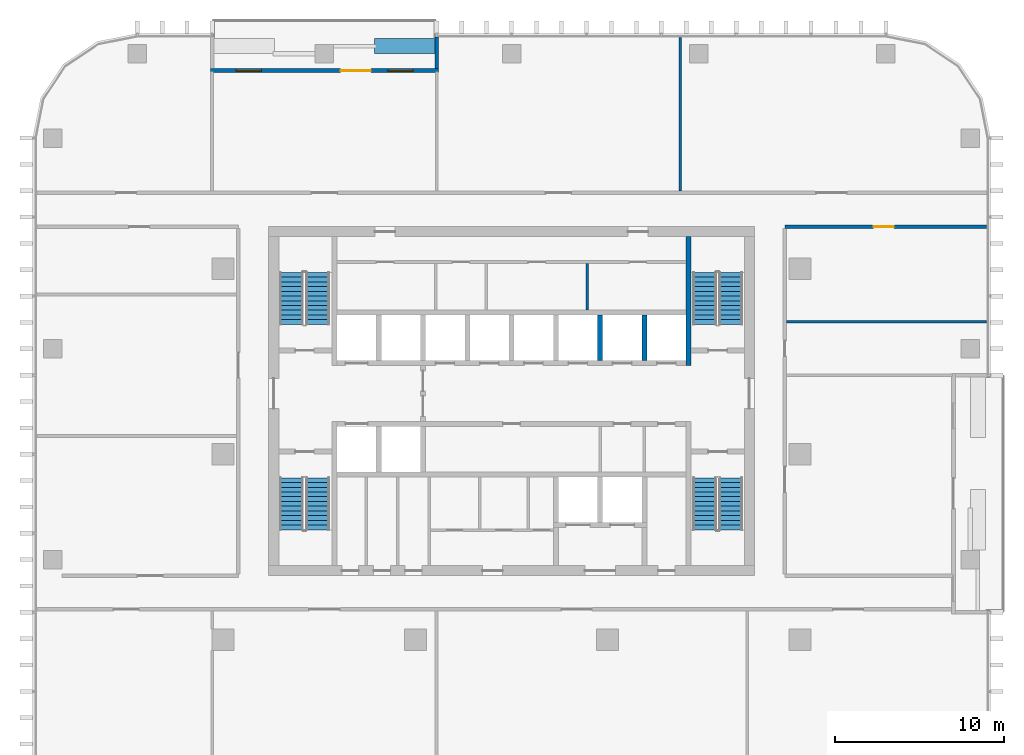
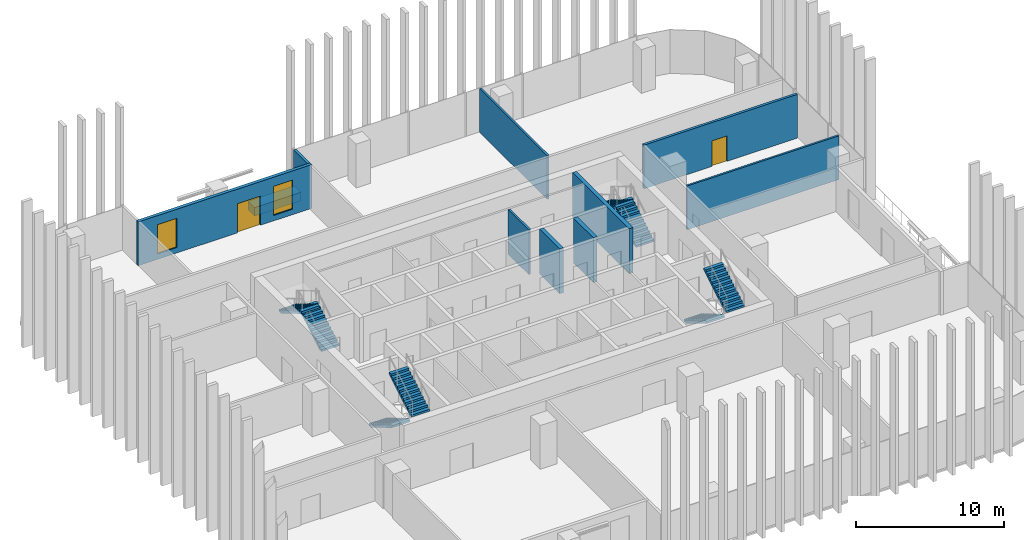
# One storey, part 10 of 15: 10 walls, 8 stair flights, 2 doors, 2 windows, 4 openings, 4 elements without a shape of their own.
"""IFC4 building model written with IfcOpenShell, lengths in metres."""

from ifc_helpers import new_model, si_unit, direction, frame, frame_2d, origin, place, context, subcontext, project, spatial, polyline, rectangle, outline, extrude, material, layer, layer_set, type_object, element, fill, aggregate, save


model = new_model("IFC4")

# Units and contexts
model_context = context("Model", 3, precision=1e-05, world=origin(), true_north=direction((0.0, 1.0)))
body_context = subcontext(model_context, "Body", "Model", "MODEL_VIEW")
ifc_project = project(units=[si_unit("LENGTHUNIT", "METRE"), si_unit("AREAUNIT", "SQUARE_METRE"), si_unit("VOLUMEUNIT", "CUBIC_METRE"), si_unit("PLANEANGLEUNIT", "RADIAN"), si_unit("MASSUNIT", "GRAM", prefix="KILO")], contexts=[model_context])

# Site, building, storey
site_placement = place(None, origin())
site = spatial("IfcSite", under=ifc_project, at=site_placement, CompositionType="ELEMENT")
building_placement = place(site_placement, origin())
building = spatial("IfcBuilding", under=site, at=building_placement, Name="Mopane Tessera Tower", CompositionType="ELEMENT")
storey_placement = place(building_placement, frame((0.0, 0.0, 223.0)))
storey = spatial("IfcBuildingStorey", under=building, at=storey_placement, Name="L47", CompositionType="ELEMENT", Elevation=223.0)

# Walls
ifc_material_1 = material(Name="Fire-rated gypsum board partition")
ifc_layer_1 = layer(ifc_material_1, 0.14990234375)
ifc_layer_set_1 = layer_set([ifc_layer_1], Name="Fire-rated gypsum board partition")
wall_type_1 = type_object("IfcWallType", Name="Core room partition 150 mm", PredefinedType="PARTITIONING", material=ifc_layer_set_1)
wall_1_placement = place(storey_placement, frame((4.5, 8.550048828125, 0.0), z_axis=(0.0, 0.0, 1.0), x_axis=(0.0, 1.0, 0.0)))
element("IfcWall", 1, at=wall_1_placement, inside=storey, type_object=wall_type_1, Name="L47 Room partition", PredefinedType="PARTITIONING", context=body_context, shape_type="SweptSolid", body=[
    extrude(rectangle(XDim=2.77490234375, YDim=0.14990234375, at=frame_2d((1.387451171875, 0.0))), origin(), (0.0, 0.0, 1.0), 3.699951171875),
])
ifc_material_2 = material(Name="Concrete C60/75", Category="concrete")
ifc_layer_2 = layer(ifc_material_2, 0.300048828125)
ifc_layer_set_2 = layer_set([ifc_layer_2], Name="Concrete C60/75")
wall_type_2 = type_object("IfcWallType", Name="Core spine wall 300 mm", PredefinedType="SHEAR", material=ifc_layer_set_2)
wall_2_placement = place(storey_placement, frame((10.5, 5.25, 0.0), z_axis=(0.0, 0.0, 1.0), x_axis=(0.0, 1.0, 0.0)))
element("IfcWall", 2, at=wall_2_placement, inside=storey, type_object=wall_type_2, Name="L47 Core spine wall", PredefinedType="SHEAR", context=body_context, shape_type="SweptSolid", body=[
    extrude(rectangle(XDim=7.64990234375, YDim=0.300048828125, at=frame_2d((3.824951171875, 0.0))), origin(), (0.0, 0.0, 1.0), 3.699951171875),
])

# Wall, opening, door
ifc_material_3 = material(Name="Gypsum board on steel studs, two layers each face, mineral wool infill", Category="steel")
ifc_layer_3 = layer(ifc_material_3, 0.199951171875)
ifc_layer_set_3 = layer_set([ifc_layer_3], Name="Gypsum board on steel studs, two layers each face, mineral wool infill")
wall_type_3 = type_object("IfcWallType", Name="Gypsum board corridor wall 200, rated EI 60", PredefinedType="PARTITIONING", material=ifc_layer_set_3)
wall_3_placement = place(storey_placement, frame((16.199951171875, 13.5, 0.0), z_axis=(0.0, 0.0, 1.0), x_axis=(1.0, 0.0, 0.0)))
wall_3 = element("IfcWall", 3, at=wall_3_placement, inside=storey, type_object=wall_type_3, Name="Partition L47:008", PredefinedType="PARTITIONING", context=body_context, shape_type="SweptSolid", body=[
    extrude(rectangle(XDim=11.949951171875, YDim=0.199951171875, at=frame_2d((5.97509765625, 0.0))), origin(), (0.0, 0.0, 1.0), 3.60009765625),
])
opening_1_placement = place(wall_3_placement, frame((5.27490234375, 0.0, 0.0)))
opening_1 = element("IfcOpeningElement", 4, at=opening_1_placement, cuts=wall_3, Name="Opening L47-07", PredefinedType="OPENING", context=body_context, shape_type="SweptSolid", body=[
    extrude(rectangle(XDim=1.199951171875, YDim=2.10009765625, at=frame_2d((0.60009765625, 1.050048828125))), frame((0.0, 0.112060546875, 0.0), z_axis=(0.0, -1.0, 0.0), x_axis=(1.0, 0.0, 0.0)), (0.0, 0.0, 1.0), 0.223876953125),
])
ifc_material_4 = material(Name="Timber veneered steel-framed fire door", Category="steel")
door_type_1 = type_object("IfcDoorType", Name="Fire door FD60 1200 x 2100", OperationType="SINGLE_SWING_LEFT", PredefinedType="DOOR", material=ifc_material_4)
door_1_placement = place(opening_1_placement, origin())
door_1 = element("IfcDoor", 5, at=door_1_placement, inside=storey, type_object=door_type_1, Name="Door L47-07", ObjectType="D15A", OperationType="SINGLE_SWING_LEFT", OverallHeight=2.10009765625, OverallWidth=1.199951171875, PredefinedType="DOOR", context=body_context, shape_type="SweptSolid", body=[
    extrude(rectangle(XDim=1.199951171875, YDim=2.10009765625, at=frame_2d((0.60009765625, 1.050048828125))), frame((0.0, 0.02490234375, 0.0), z_axis=(0.0, -1.0, 0.0), x_axis=(1.0, 0.0, 0.0)), (0.0, 0.0, 1.0), 0.050048828125),
])
fill(opening_1, door_1)

# Walls
ifc_material_5 = material(Name="Gypsum board on steel studs, mineral wool infill", Category="steel")
ifc_layer_4 = layer(ifc_material_5, 0.14990234375)
ifc_layer_set_4 = layer_set([ifc_layer_4], Name="Gypsum board on steel studs, mineral wool infill")
wall_type_4 = type_object("IfcWallType", Name="Gypsum board partition 150, rated EI 60", PredefinedType="PARTITIONING", material=ifc_layer_set_4)
wall_4_placement = place(storey_placement, frame((16.300048828125, 7.85498046875, 0.0), z_axis=(0.0, 0.0, 1.0), x_axis=(1.0, 0.0, 0.0)))
element("IfcWall", 6, at=wall_4_placement, inside=storey, type_object=wall_type_4, Name="Partition L47:005", PredefinedType="PARTITIONING", context=body_context, shape_type="SweptSolid", body=[
    extrude(rectangle(XDim=11.849853515625, YDim=0.14990234375, at=frame_2d((5.9248046875, 0.0))), origin(), (0.0, 0.0, 1.0), 3.60009765625),
])
wall_5_placement = place(storey_placement, frame((10.0, 15.60009765625, 0.0), z_axis=(0.0, 0.0, 1.0), x_axis=(0.0, 1.0, 0.0)))
element("IfcWall", 7, at=wall_5_placement, inside=storey, type_object=wall_type_4, Name="Partition L47:016", PredefinedType="PARTITIONING", context=body_context, shape_type="SweptSolid", body=[
    extrude(rectangle(XDim=9.099853515625, YDim=0.14990234375, at=frame_2d((4.5498046875, 0.0))), origin(), (0.0, 0.0, 1.0), 3.60009765625),
])
ifc_material_6 = material(Name="Concrete C50/60", Category="concrete")
ifc_layer_5 = layer(ifc_material_6, 0.300048828125)
ifc_layer_set_5 = layer_set([ifc_layer_5], Name="Concrete C50/60")
wall_type_5 = type_object("IfcWallType", Name="Lift and stair shaft wall 300 mm", PredefinedType="SOLIDWALL", material=ifc_layer_set_5)
for number, where, z_axis, x_axis, name in (
    (8, (5.25, 5.550048828125, 0.0), (0.0, 0.0, 1.0), (0.0, 1.0, 0.0), "L47 Lift shaft wall"),
    (9, (7.875, 5.550048828125, 0.0), (0.0, 0.0, 1.0), (0.0, 1.0, 0.0), "L47 Lift shaft wall"),
):
    element("IfcWall", number, at=place(storey_placement, frame(where, z_axis=z_axis, x_axis=x_axis)), inside=storey, type_object=wall_type_5, Name=name, PredefinedType="SOLIDWALL", context=body_context, shape_type="SweptSolid", body=[
        extrude(rectangle(XDim=2.699951171875, YDim=0.300048828125, at=frame_2d((1.35009765625, 0.0))), origin(), (0.0, 0.0, 1.0), 3.699951171875),
    ])
ifc_material_7 = material(Name="Reinforced concrete C32/40 with waterproofing", Category="concrete")
ifc_layer_6 = layer(ifc_material_7, 0.89990234375)
ifc_layer_set_6 = layer_set([ifc_layer_6], Name="Reinforced concrete C32/40 with waterproofing")
wall_type_6 = type_object("IfcWallType", Name="Planter trough 3600 x 900", PredefinedType="STANDARD", material=ifc_layer_set_6)
wall_6_placement = place(storey_placement, frame((-4.5400390625, 24.199951171875, 0.0), z_axis=(0.0, 0.0, 1.0), x_axis=(-1.0, 0.0, 0.0)))
element("IfcWall", 10, at=wall_6_placement, inside=storey, type_object=wall_type_6, Name="e:nw:L47:N3:pl0", PredefinedType="STANDARD", context=body_context, shape_type="SweptSolid", body=[
    extrude(rectangle(XDim=3.599853515625, YDim=0.89990234375, at=frame_2d((1.7998046875, 0.0))), origin(), (0.0, 0.0, 1.0), 0.699951171875),
])
ifc_material_8 = material(Name="Blockwork with glazed tile facing", Category="masonry")
ifc_layer_7 = layer(ifc_material_8, 0.199951171875)
ifc_layer_set_7 = layer_set([ifc_layer_7], Name="Blockwork with glazed tile facing")
wall_type_7 = type_object("IfcWallType", Name="Terrace cheek wall 200", PredefinedType="STANDARD", material=ifc_layer_set_7)
wall_7_placement = place(storey_placement, frame((-4.43994140625, 24.75, 0.0), z_axis=(0.0, 0.0, 1.0), x_axis=(0.0, -1.0, 0.0)))
element("IfcWall", 11, at=wall_7_placement, inside=storey, type_object=wall_type_7, Name="e:nw:L47:N3:cheeka", PredefinedType="STANDARD", context=body_context, shape_type="SweptSolid", body=[
    extrude(rectangle(XDim=1.875, YDim=0.199951171875, at=frame_2d((0.9375, 0.0))), origin(), (0.0, 0.0, 1.0), 3.60009765625),
])

# Wall, openings, windows, door
ifc_material_9 = material(Name="Blockwork with ultramarine glazed tile facing", Category="masonry")
ifc_layer_8 = layer(ifc_material_9, 0.25)
ifc_layer_set_8 = layer_set([ifc_layer_8], Name="Blockwork with ultramarine glazed tile facing")
wall_type_8 = type_object("IfcWallType", Name="Tile-clad external wall 250, ultramarine", PredefinedType="STANDARD", material=ifc_layer_set_8)
wall_8_placement = place(storey_placement, frame((-4.340087890625, 22.75, 0.0), z_axis=(0.0, 0.0, 1.0), x_axis=(-1.0, 0.0, 0.0)))
wall_8 = element("IfcWall", 12, at=wall_8_placement, inside=storey, type_object=wall_type_8, Name="e:nw:L47:N3:back", PredefinedType="STANDARD", context=body_context, shape_type="SweptSolid", body=[
    extrude(rectangle(XDim=13.52001953125, YDim=0.25, at=frame_2d((6.760009765625, 0.0))), origin(), (0.0, 0.0, 1.0), 3.60009765625),
])
opening_2_placement = place(wall_8_placement, frame((1.5, 0.0, 0.449951171875)))
opening_2 = element("IfcOpeningElement", 13, at=opening_2_placement, cuts=wall_8, Name="Opening NW473A", PredefinedType="OPENING", context=body_context, shape_type="SweptSolid", body=[
    extrude(rectangle(XDim=1.5, YDim=2.39990234375, at=frame_2d((0.75, 1.199951171875))), frame((0.0, 0.136962890625, 0.0), z_axis=(0.0, -1.0, 0.0), x_axis=(1.0, 0.0, 0.0)), (0.0, 0.0, 1.0), 0.27392578125),
])
opening_3_placement = place(wall_8_placement, frame((4.0, 0.0, 0.0)))
opening_3 = element("IfcOpeningElement", 14, at=opening_3_placement, cuts=wall_8, Name="Opening ND473", PredefinedType="OPENING", context=body_context, shape_type="SweptSolid", body=[
    extrude(rectangle(XDim=1.800048828125, YDim=2.39990234375, at=frame_2d((0.89990234375, 1.199951171875))), frame((0.0, 0.136962890625, 0.0), z_axis=(0.0, -1.0, 0.0), x_axis=(1.0, 0.0, 0.0)), (0.0, 0.0, 1.0), 0.27392578125),
])
opening_4_placement = place(wall_8_placement, frame((10.5, 0.0, 0.449951171875)))
opening_4 = element("IfcOpeningElement", 15, at=opening_4_placement, cuts=wall_8, Name="Opening NW473B", PredefinedType="OPENING", context=body_context, shape_type="SweptSolid", body=[
    extrude(rectangle(XDim=1.5, YDim=2.39990234375, at=frame_2d((0.75, 1.199951171875))), frame((0.0, 0.136962890625, 0.0), z_axis=(0.0, -1.0, 0.0), x_axis=(1.0, 0.0, 0.0)), (0.0, 0.0, 1.0), 0.27392578125),
])
ifc_material_10 = material(Name="Clear laminated glass", Category="glass")
window_type = type_object("IfcWindowType", Name="Fixed window 1500 x 2400", PartitioningType="SINGLE_PANEL", PredefinedType="WINDOW", material=ifc_material_10)
window_1_placement = place(opening_2_placement, origin())
window_1 = element("IfcWindow", 16, at=window_1_placement, inside=storey, type_object=window_type, Name="e:nw:L47:N3:win0", OverallHeight=2.39990234375, OverallWidth=1.5, PartitioningType="SINGLE_PANEL", PredefinedType="WINDOW", context=body_context, shape_type="SweptSolid", body=[
    extrude(rectangle(XDim=1.5, YDim=2.39990234375, at=frame_2d((0.75, 1.199951171875))), frame((0.0, 0.030029296875, 0.0), z_axis=(0.0, -1.0, 0.0), x_axis=(1.0, 0.0, 0.0)), (0.0, 0.0, 1.0), 0.06005859375),
])
fill(opening_2, window_1)
window_2_placement = place(opening_4_placement, origin())
window_2 = element("IfcWindow", 17, at=window_2_placement, inside=storey, type_object=window_type, Name="e:nw:L47:N3:win2", OverallHeight=2.39990234375, OverallWidth=1.5, PartitioningType="SINGLE_PANEL", PredefinedType="WINDOW", context=body_context, shape_type="SweptSolid", body=[
    extrude(rectangle(XDim=1.5, YDim=2.39990234375, at=frame_2d((0.75, 1.199951171875))), frame((0.0, 0.030029296875, 0.0), z_axis=(0.0, -1.0, 0.0), x_axis=(1.0, 0.0, 0.0)), (0.0, 0.0, 1.0), 0.06005859375),
])
fill(opening_4, window_2)
ifc_material_11 = material(Name="Aluminium and clear glass", Category="aluminium")
door_type_2 = type_object("IfcDoorType", Name="Terrace double door 1800 x 2400", OperationType="DOUBLE_DOOR_SINGLE_SWING", PredefinedType="DOOR", material=ifc_material_11)
door_2_placement = place(opening_3_placement, origin())
door_2 = element("IfcDoor", 18, at=door_2_placement, inside=storey, type_object=door_type_2, Name="e:nw:L47:N3:door", ObjectType="D1", OperationType="DOUBLE_DOOR_SINGLE_SWING", OverallHeight=2.39990234375, OverallWidth=1.800048828125, PredefinedType="DOOR", context=body_context, shape_type="SweptSolid", body=[
    extrude(rectangle(XDim=1.800048828125, YDim=2.39990234375, at=frame_2d((0.89990234375, 1.199951171875))), frame((0.0, 0.02490234375, 0.0), z_axis=(0.0, -1.0, 0.0), x_axis=(1.0, 0.0, 0.0)), (0.0, 0.0, 1.0), 0.050048828125),
])
fill(opening_3, door_2)

# Stair, stair flights
ifc_material_12 = material(Name="Concrete C50/60", Category="concrete")
stair_type = type_object("IfcStairType", Name="Escape stair 1400 mm, riser 167 mm", PredefinedType="HALF_TURN_STAIR", material=ifc_material_12)
stair_1_placement = place(storey_placement, origin())
stair_1 = element("IfcStair", 19, at=stair_1_placement, inside=storey, type_object=stair_type, Name="L47 Escape stair south-west", PredefinedType="HALF_TURN_STAIR")
ifc_material_13 = material(Name="Concrete C50/60", Category="concrete")
stair_flight_type = type_object("IfcStairFlightType", Name="Escape stair flight 1400 mm", PredefinedType="STRAIGHT", material=ifc_material_13)
stair_flight_1_placement = place(storey_placement, frame((-13.050048828125, -1.39990234375, 0.0), z_axis=(0.0, 0.0, 1.0), x_axis=(0.0, -1.0, 0.0)))
stair_flight_1 = element("IfcStairFlight", 20, at=stair_flight_1_placement, type_object=stair_flight_type, Name="ST1 flight 1", NumberOfRisers=12, NumberOfTreads=11, PredefinedType="STRAIGHT", RiserHeight=0.166666667, TreadLength=0.28, context=body_context, shape_type="SweptSolid", body=[
    extrude(outline(polyline([(0.0, 0.0), (0.0, 0.166748046875), (0.280029296875, 0.166748046875), (0.280029296875, 0.333251953125), (0.56005859375, 0.333251953125), (0.56005859375, 0.5), (0.840087890625, 0.5), (0.840087890625, 0.666748046875), (1.1201171875, 0.666748046875), (1.1201171875, 0.833251953125), (1.39990234375, 0.833251953125), (1.39990234375, 1.0), (1.679931640625, 1.0), (1.679931640625, 1.166748046875), (1.9599609375, 1.166748046875), (1.9599609375, 1.333251953125), (2.239990234375, 1.333251953125), (2.239990234375, 1.5), (2.52001953125, 1.5), (2.52001953125, 1.666748046875), (2.800048828125, 1.666748046875), (2.800048828125, 1.833251953125), (3.080078125, 1.833251953125), (3.080078125, 2.0), (3.080078125, 1.658935546875), (0.29296875, 0.0), (0.0, 0.0)])), frame((0.0, 0.699951171875, 0.0), z_axis=(0.0, -1.0, 0.0), x_axis=(1.0, 0.0, 0.0)), (0.0, 0.0, 1.0), 1.39990234375),
])
stair_flight_2_placement = place(storey_placement, frame((-11.5, -4.47998046875, 2.0), z_axis=(0.0, 0.0, 1.0), x_axis=(0.0, 1.0, 0.0)))
stair_flight_2 = element("IfcStairFlight", 21, at=stair_flight_2_placement, type_object=stair_flight_type, Name="ST1 flight 2", NumberOfRisers=12, NumberOfTreads=11, PredefinedType="STRAIGHT", RiserHeight=0.166666667, TreadLength=0.28, context=body_context, shape_type="SweptSolid", body=[
    extrude(outline(polyline([(0.0, 0.0), (0.0, 0.166748046875), (0.280029296875, 0.166748046875), (0.280029296875, 0.333251953125), (0.56005859375, 0.333251953125), (0.56005859375, 0.5), (0.840087890625, 0.5), (0.840087890625, 0.666748046875), (1.1201171875, 0.666748046875), (1.1201171875, 0.833251953125), (1.39990234375, 0.833251953125), (1.39990234375, 1.0), (1.679931640625, 1.0), (1.679931640625, 1.166748046875), (1.9599609375, 1.166748046875), (1.9599609375, 1.333251953125), (2.239990234375, 1.333251953125), (2.239990234375, 1.5), (2.52001953125, 1.5), (2.52001953125, 1.666748046875), (2.800048828125, 1.666748046875), (2.800048828125, 1.833251953125), (3.080078125, 1.833251953125), (3.080078125, 2.0), (3.080078125, 1.658935546875), (0.29296875, 0.0), (0.0, 0.0)])), frame((0.0, 0.699951171875, 0.0), z_axis=(0.0, -1.0, 0.0), x_axis=(1.0, 0.0, 0.0)), (0.0, 0.0, 1.0), 1.39990234375),
])
aggregate(stair_1, [stair_flight_1, stair_flight_2])

stair_2_placement = place(storey_placement, origin())
stair_2 = element("IfcStair", 22, at=stair_2_placement, inside=storey, type_object=stair_type, Name="L47 Escape stair north-west", PredefinedType="HALF_TURN_STAIR")
stair_flight_3_placement = place(storey_placement, frame((-11.5, 7.699951171875, 0.0), z_axis=(0.0, 0.0, 1.0), x_axis=(0.0, 1.0, 0.0)))
stair_flight_3 = element("IfcStairFlight", 23, at=stair_flight_3_placement, type_object=stair_flight_type, Name="ST2 flight 1", NumberOfRisers=12, NumberOfTreads=11, PredefinedType="STRAIGHT", RiserHeight=0.166666667, TreadLength=0.28, context=body_context, shape_type="SweptSolid", body=[
    extrude(outline(polyline([(0.0, 0.0), (0.0, 0.166748046875), (0.280029296875, 0.166748046875), (0.280029296875, 0.333251953125), (0.56005859375, 0.333251953125), (0.56005859375, 0.5), (0.840087890625, 0.5), (0.840087890625, 0.666748046875), (1.1201171875, 0.666748046875), (1.1201171875, 0.833251953125), (1.39990234375, 0.833251953125), (1.39990234375, 1.0), (1.679931640625, 1.0), (1.679931640625, 1.166748046875), (1.9599609375, 1.166748046875), (1.9599609375, 1.333251953125), (2.239990234375, 1.333251953125), (2.239990234375, 1.5), (2.52001953125, 1.5), (2.52001953125, 1.666748046875), (2.800048828125, 1.666748046875), (2.800048828125, 1.833251953125), (3.080078125, 1.833251953125), (3.080078125, 2.0), (3.080078125, 1.658935546875), (0.29296875, 0.0), (0.0, 0.0)])), frame((0.0, 0.699951171875, 0.0), z_axis=(0.0, -1.0, 0.0), x_axis=(1.0, 0.0, 0.0)), (0.0, 0.0, 1.0), 1.39990234375),
])
stair_flight_4_placement = place(storey_placement, frame((-13.050048828125, 10.780029296875, 2.0), z_axis=(0.0, 0.0, 1.0), x_axis=(0.0, -1.0, 0.0)))
stair_flight_4 = element("IfcStairFlight", 24, at=stair_flight_4_placement, type_object=stair_flight_type, Name="ST2 flight 2", NumberOfRisers=12, NumberOfTreads=11, PredefinedType="STRAIGHT", RiserHeight=0.166666667, TreadLength=0.28, context=body_context, shape_type="SweptSolid", body=[
    extrude(outline(polyline([(0.0, 0.0), (0.0, 0.166748046875), (0.280029296875, 0.166748046875), (0.280029296875, 0.333251953125), (0.56005859375, 0.333251953125), (0.56005859375, 0.5), (0.840087890625, 0.5), (0.840087890625, 0.666748046875), (1.1201171875, 0.666748046875), (1.1201171875, 0.833251953125), (1.39990234375, 0.833251953125), (1.39990234375, 1.0), (1.679931640625, 1.0), (1.679931640625, 1.166748046875), (1.9599609375, 1.166748046875), (1.9599609375, 1.333251953125), (2.239990234375, 1.333251953125), (2.239990234375, 1.5), (2.52001953125, 1.5), (2.52001953125, 1.666748046875), (2.800048828125, 1.666748046875), (2.800048828125, 1.833251953125), (3.080078125, 1.833251953125), (3.080078125, 2.0), (3.080078125, 1.658935546875), (0.29296875, 0.0), (0.0, 0.0)])), frame((0.0, 0.699951171875, 0.0), z_axis=(0.0, -1.0, 0.0), x_axis=(1.0, 0.0, 0.0)), (0.0, 0.0, 1.0), 1.39990234375),
])
aggregate(stair_2, [stair_flight_3, stair_flight_4])

stair_3_placement = place(storey_placement, origin())
stair_3 = element("IfcStair", 25, at=stair_3_placement, inside=storey, type_object=stair_type, Name="L47 Escape stair south-east", PredefinedType="HALF_TURN_STAIR")
stair_flight_5_placement = place(storey_placement, frame((11.449951171875, -1.39990234375, 0.0), z_axis=(0.0, 0.0, 1.0), x_axis=(0.0, -1.0, 0.0)))
stair_flight_5 = element("IfcStairFlight", 26, at=stair_flight_5_placement, type_object=stair_flight_type, Name="ST3 flight 1", NumberOfRisers=12, NumberOfTreads=11, PredefinedType="STRAIGHT", RiserHeight=0.166666667, TreadLength=0.28, context=body_context, shape_type="SweptSolid", body=[
    extrude(outline(polyline([(0.0, 0.0), (0.0, 0.166748046875), (0.280029296875, 0.166748046875), (0.280029296875, 0.333251953125), (0.56005859375, 0.333251953125), (0.56005859375, 0.5), (0.840087890625, 0.5), (0.840087890625, 0.666748046875), (1.1201171875, 0.666748046875), (1.1201171875, 0.833251953125), (1.39990234375, 0.833251953125), (1.39990234375, 1.0), (1.679931640625, 1.0), (1.679931640625, 1.166748046875), (1.9599609375, 1.166748046875), (1.9599609375, 1.333251953125), (2.239990234375, 1.333251953125), (2.239990234375, 1.5), (2.52001953125, 1.5), (2.52001953125, 1.666748046875), (2.800048828125, 1.666748046875), (2.800048828125, 1.833251953125), (3.080078125, 1.833251953125), (3.080078125, 2.0), (3.080078125, 1.658935546875), (0.29296875, 0.0), (0.0, 0.0)])), frame((0.0, 0.699951171875, 0.0), z_axis=(0.0, -1.0, 0.0), x_axis=(1.0, 0.0, 0.0)), (0.0, 0.0, 1.0), 1.39990234375),
])
stair_flight_6_placement = place(storey_placement, frame((13.0, -4.47998046875, 2.0), z_axis=(0.0, 0.0, 1.0), x_axis=(0.0, 1.0, 0.0)))
stair_flight_6 = element("IfcStairFlight", 27, at=stair_flight_6_placement, type_object=stair_flight_type, Name="ST3 flight 2", NumberOfRisers=12, NumberOfTreads=11, PredefinedType="STRAIGHT", RiserHeight=0.166666667, TreadLength=0.28, context=body_context, shape_type="SweptSolid", body=[
    extrude(outline(polyline([(0.0, 0.0), (0.0, 0.166748046875), (0.280029296875, 0.166748046875), (0.280029296875, 0.333251953125), (0.56005859375, 0.333251953125), (0.56005859375, 0.5), (0.840087890625, 0.5), (0.840087890625, 0.666748046875), (1.1201171875, 0.666748046875), (1.1201171875, 0.833251953125), (1.39990234375, 0.833251953125), (1.39990234375, 1.0), (1.679931640625, 1.0), (1.679931640625, 1.166748046875), (1.9599609375, 1.166748046875), (1.9599609375, 1.333251953125), (2.239990234375, 1.333251953125), (2.239990234375, 1.5), (2.52001953125, 1.5), (2.52001953125, 1.666748046875), (2.800048828125, 1.666748046875), (2.800048828125, 1.833251953125), (3.080078125, 1.833251953125), (3.080078125, 2.0), (3.080078125, 1.658935546875), (0.29296875, 0.0), (0.0, 0.0)])), frame((0.0, 0.699951171875, 0.0), z_axis=(0.0, -1.0, 0.0), x_axis=(1.0, 0.0, 0.0)), (0.0, 0.0, 1.0), 1.39990234375),
])
aggregate(stair_3, [stair_flight_5, stair_flight_6])

stair_4_placement = place(storey_placement, origin())
stair_4 = element("IfcStair", 28, at=stair_4_placement, inside=storey, type_object=stair_type, Name="L47 Escape stair north-east", PredefinedType="HALF_TURN_STAIR")
stair_flight_7_placement = place(storey_placement, frame((13.0, 7.699951171875, 0.0), z_axis=(0.0, 0.0, 1.0), x_axis=(0.0, 1.0, 0.0)))
stair_flight_7 = element("IfcStairFlight", 29, at=stair_flight_7_placement, type_object=stair_flight_type, Name="ST4 flight 1", NumberOfRisers=12, NumberOfTreads=11, PredefinedType="STRAIGHT", RiserHeight=0.166666667, TreadLength=0.28, context=body_context, shape_type="SweptSolid", body=[
    extrude(outline(polyline([(0.0, 0.0), (0.0, 0.166748046875), (0.280029296875, 0.166748046875), (0.280029296875, 0.333251953125), (0.56005859375, 0.333251953125), (0.56005859375, 0.5), (0.840087890625, 0.5), (0.840087890625, 0.666748046875), (1.1201171875, 0.666748046875), (1.1201171875, 0.833251953125), (1.39990234375, 0.833251953125), (1.39990234375, 1.0), (1.679931640625, 1.0), (1.679931640625, 1.166748046875), (1.9599609375, 1.166748046875), (1.9599609375, 1.333251953125), (2.239990234375, 1.333251953125), (2.239990234375, 1.5), (2.52001953125, 1.5), (2.52001953125, 1.666748046875), (2.800048828125, 1.666748046875), (2.800048828125, 1.833251953125), (3.080078125, 1.833251953125), (3.080078125, 2.0), (3.080078125, 1.658935546875), (0.29296875, 0.0), (0.0, 0.0)])), frame((0.0, 0.699951171875, 0.0), z_axis=(0.0, -1.0, 0.0), x_axis=(1.0, 0.0, 0.0)), (0.0, 0.0, 1.0), 1.39990234375),
])
stair_flight_8_placement = place(storey_placement, frame((11.449951171875, 10.780029296875, 2.0), z_axis=(0.0, 0.0, 1.0), x_axis=(0.0, -1.0, 0.0)))
stair_flight_8 = element("IfcStairFlight", 30, at=stair_flight_8_placement, type_object=stair_flight_type, Name="ST4 flight 2", NumberOfRisers=12, NumberOfTreads=11, PredefinedType="STRAIGHT", RiserHeight=0.166666667, TreadLength=0.28, context=body_context, shape_type="SweptSolid", body=[
    extrude(outline(polyline([(0.0, 0.0), (0.0, 0.166748046875), (0.280029296875, 0.166748046875), (0.280029296875, 0.333251953125), (0.56005859375, 0.333251953125), (0.56005859375, 0.5), (0.840087890625, 0.5), (0.840087890625, 0.666748046875), (1.1201171875, 0.666748046875), (1.1201171875, 0.833251953125), (1.39990234375, 0.833251953125), (1.39990234375, 1.0), (1.679931640625, 1.0), (1.679931640625, 1.166748046875), (1.9599609375, 1.166748046875), (1.9599609375, 1.333251953125), (2.239990234375, 1.333251953125), (2.239990234375, 1.5), (2.52001953125, 1.5), (2.52001953125, 1.666748046875), (2.800048828125, 1.666748046875), (2.800048828125, 1.833251953125), (3.080078125, 1.833251953125), (3.080078125, 2.0), (3.080078125, 1.658935546875), (0.29296875, 0.0), (0.0, 0.0)])), frame((0.0, 0.699951171875, 0.0), z_axis=(0.0, -1.0, 0.0), x_axis=(1.0, 0.0, 0.0)), (0.0, 0.0, 1.0), 1.39990234375),
])
aggregate(stair_4, [stair_flight_7, stair_flight_8])

save(model, "model.ifc")
